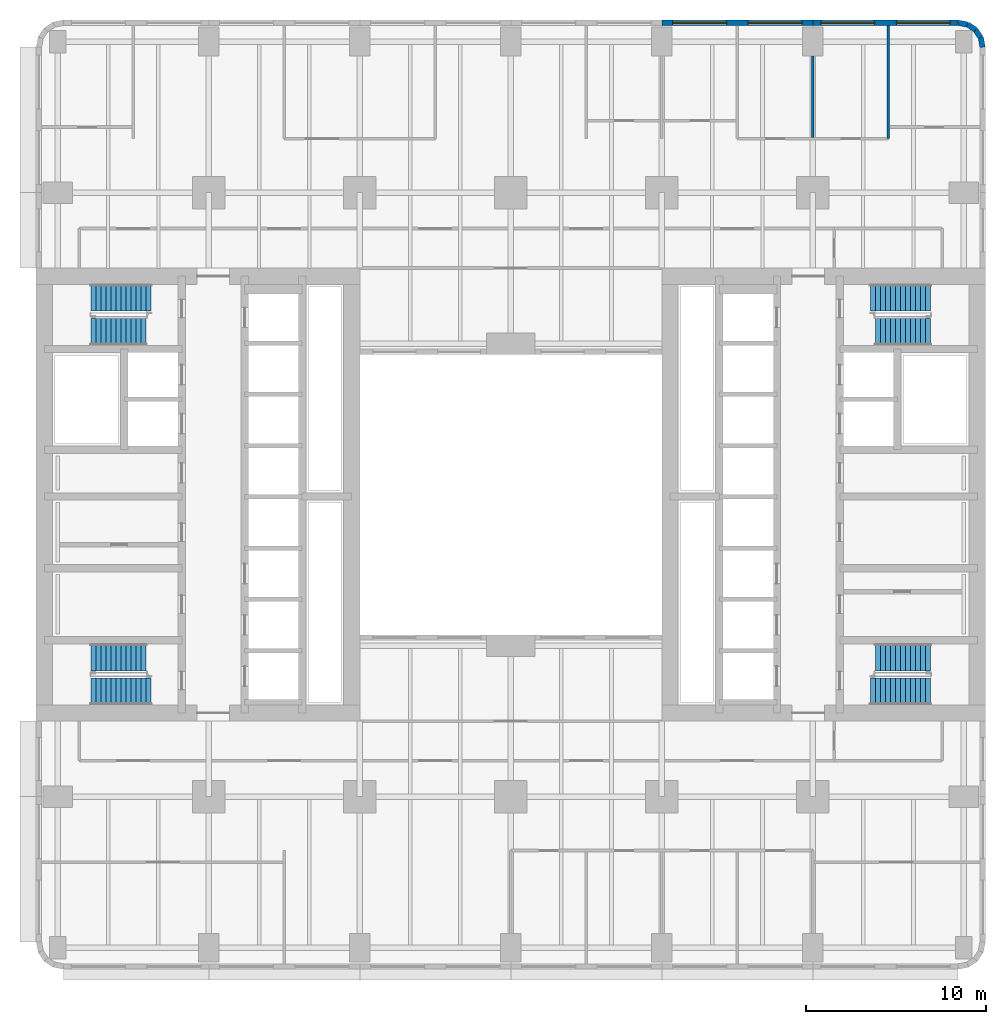
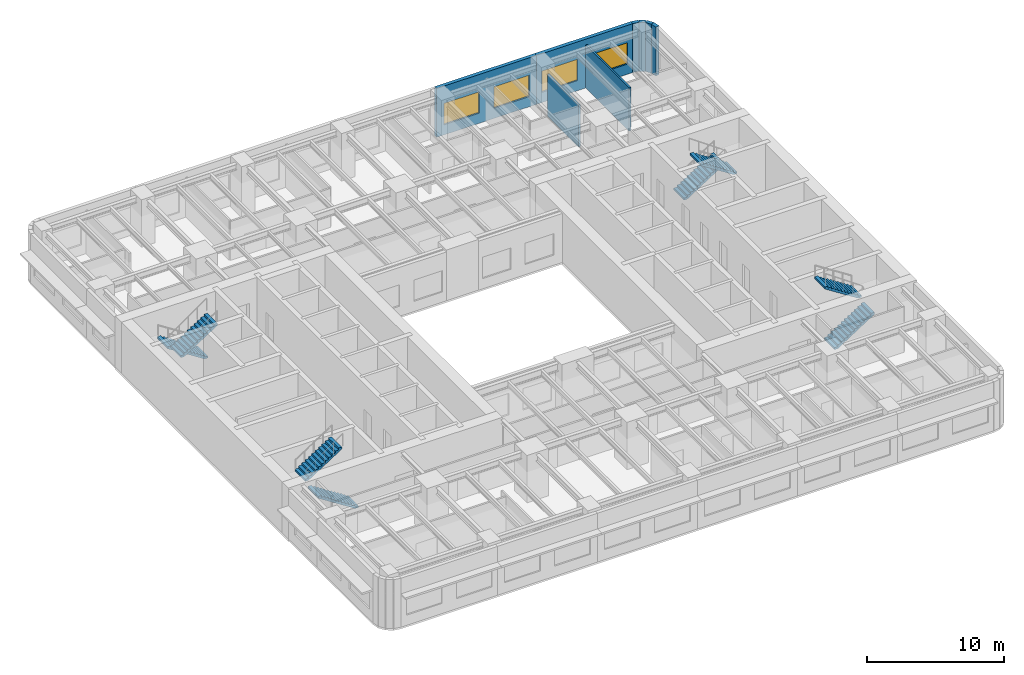
# One storey, part 8 of 14: 8 stair flights, 8 walls, 4 windows, 4 openings, 4 elements without a shape of their own.
"""IFC4 building model written with IfcOpenShell, lengths in metres."""

from ifc_helpers import new_model, si_unit, direction, frame, frame_2d, origin, place, context, subcontext, project, spatial, polyline, rectangle, outline, extrude, material, layer, layer_set, type_object, element, fill, aggregate, save


model = new_model("IFC4")

# Units and contexts
model_context = context("Model", 3, precision=1e-05, world=origin(), true_north=direction((0.0, 1.0)))
body_context = subcontext(model_context, "Body", "Model", "MODEL_VIEW")
ifc_project = project(units=[si_unit("LENGTHUNIT", "METRE"), si_unit("AREAUNIT", "SQUARE_METRE"), si_unit("VOLUMEUNIT", "CUBIC_METRE"), si_unit("PLANEANGLEUNIT", "RADIAN"), si_unit("MASSUNIT", "GRAM", prefix="KILO")], contexts=[model_context])

# Site, building, storey
site_placement = place(None, origin())
site = spatial("IfcSite", under=ifc_project, at=site_placement, CompositionType="ELEMENT")
building_placement = place(site_placement, origin())
building = spatial("IfcBuilding", under=site, at=building_placement, Name="Claustro Exchange Tower", CompositionType="ELEMENT")
storey_placement = place(building_placement, frame((0.0, 0.0, 41.39990234375)))
storey = spatial("IfcBuildingStorey", under=building, at=storey_placement, Name="L09", CompositionType="ELEMENT", Elevation=41.39990234375)

# Walls
ifc_material_1 = material(Name="Gypsum board on steel studs", Category="steel")
ifc_layer_1 = layer(ifc_material_1, 0.14990234375)
ifc_layer_set_1 = layer_set([ifc_layer_1], Name="Gypsum board on steel studs")
wall_type_1 = type_object("IfcWallType", Name="P1 150 plasterboard partition", PredefinedType="PARTITIONING", material=ifc_layer_set_1)
wall_1_placement = place(storey_placement, frame((42.0, 45.073974609375, 0.0), z_axis=(0.0, 0.0, 1.0), x_axis=(0.0, 1.0, 0.0)))
element("IfcWall", 1, at=wall_1_placement, inside=storey, type_object=wall_type_1, Name="Partition P1 L09", PredefinedType="PARTITIONING", context=body_context, shape_type="SweptSolid", body=[
    extrude(rectangle(XDim=4.527099609375, YDim=0.14990234375, at=frame_2d((2.263671875, 0.0))), origin(), (0.0, 0.0, 1.0), 3.739990234375),
])
wall_2_placement = place(storey_placement, frame((46.199951171875, 45.0, 0.0), z_axis=(0.0, 0.0, 1.0), x_axis=(0.0, 1.0, 0.0)))
element("IfcWall", 2, at=wall_2_placement, inside=storey, type_object=wall_type_1, Name="Partition P1 L09", PredefinedType="PARTITIONING", context=body_context, shape_type="SweptSolid", body=[
    extrude(rectangle(XDim=6.302001953125, YDim=0.14990234375, at=frame_2d((3.15087890625, 0.0))), origin(), (0.0, 0.0, 1.0), 3.840087890625),
])

# Wall, openings, windows
ifc_material_2 = material(Name="Concrete HA-40 (C40/50), precast, white cement, acid-etched", Category="concrete")
ifc_layer_2 = layer(ifc_material_2, 0.300048828125)
ifc_layer_set_2 = layer_set([ifc_layer_2], Name="Concrete HA-40 (C40/50), precast, white cement, acid-etched")
wall_type_2 = type_object("IfcWallType", Name="PC1 300 precast concrete pier panel", PredefinedType="SOLIDWALL", material=ifc_layer_set_2)
wall_3_placement = place(storey_placement, frame((33.60009765625, 51.449951171875, 0.0), z_axis=(0.0, 0.0, 1.0), x_axis=(1.0, 0.0, 0.0)))
wall_3 = element("IfcWall", 3, at=wall_3_placement, inside=storey, type_object=wall_type_2, Name="Precast pier panel PC1 L09", PredefinedType="SOLIDWALL", context=body_context, shape_type="SweptSolid", body=[
    extrude(rectangle(XDim=8.39990234375, YDim=0.300048828125, at=frame_2d((4.199951171875, 0.0))), origin(), (0.0, 0.0, 1.0), 4.340087890625),
])
opening_1_placement = place(wall_3_placement, frame((0.60009765625, 0.0, 0.89990234375)))
opening_1 = element("IfcOpeningElement", 4, at=opening_1_placement, cuts=wall_3, Name="Opening W1", PredefinedType="OPENING", context=body_context, shape_type="SweptSolid", body=[
    extrude(rectangle(XDim=3.0, YDim=1.89990234375, at=frame_2d((1.5, 0.949951171875))), frame((0.0, 0.159912109375, 0.0), z_axis=(0.0, -1.0, 0.0), x_axis=(1.0, 0.0, 0.0)), (0.0, 0.0, 1.0), 0.320068359375),
])
opening_2_placement = place(wall_3_placement, frame((4.800048828125, 0.0, 0.89990234375)))
opening_2 = element("IfcOpeningElement", 5, at=opening_2_placement, cuts=wall_3, Name="Opening W1", PredefinedType="OPENING", context=body_context, shape_type="SweptSolid", body=[
    extrude(rectangle(XDim=3.0, YDim=1.89990234375, at=frame_2d((1.5, 0.949951171875))), frame((0.0, 0.159912109375, 0.0), z_axis=(0.0, -1.0, 0.0), x_axis=(1.0, 0.0, 0.0)), (0.0, 0.0, 1.0), 0.320068359375),
])
ifc_material_3 = material(Name="Aluminium frame, clear double glazing", Category="aluminium")
window_type = type_object("IfcWindowType", Name="W1 3000 x 1900 window", PartitioningType="SINGLE_PANEL", PredefinedType="WINDOW", material=ifc_material_3)
window_1_placement = place(opening_1_placement, origin())
window_1 = element("IfcWindow", 6, at=window_1_placement, inside=storey, type_object=window_type, Name="Window W1 L09", OverallHeight=1.89990234375, OverallWidth=3.0, PartitioningType="SINGLE_PANEL", PredefinedType="WINDOW", context=body_context, shape_type="SweptSolid", body=[
    extrude(rectangle(XDim=3.0, YDim=1.89990234375, at=frame_2d((1.5, 0.949951171875))), frame((0.0, 0.030029296875, 0.0), z_axis=(0.0, -1.0, 0.0), x_axis=(1.0, 0.0, 0.0)), (0.0, 0.0, 1.0), 0.06005859375),
])
fill(opening_1, window_1)
window_2_placement = place(opening_2_placement, origin())
window_2 = element("IfcWindow", 7, at=window_2_placement, inside=storey, type_object=window_type, Name="Window W1 L09", OverallHeight=1.89990234375, OverallWidth=3.0, PartitioningType="SINGLE_PANEL", PredefinedType="WINDOW", context=body_context, shape_type="SweptSolid", body=[
    extrude(rectangle(XDim=3.0, YDim=1.89990234375, at=frame_2d((1.5, 0.949951171875))), frame((0.0, 0.030029296875, 0.0), z_axis=(0.0, -1.0, 0.0), x_axis=(1.0, 0.0, 0.0)), (0.0, 0.0, 1.0), 0.06005859375),
])
fill(opening_2, window_2)

wall_4_placement = place(storey_placement, frame((42.0, 51.449951171875, 0.0), z_axis=(0.0, 0.0, 1.0), x_axis=(1.0, 0.0, 0.0)))
wall_4 = element("IfcWall", 8, at=wall_4_placement, inside=storey, type_object=wall_type_2, Name="Precast pier panel PC1 L09", PredefinedType="SOLIDWALL", context=body_context, shape_type="SweptSolid", body=[
    extrude(rectangle(XDim=8.085205078125, YDim=0.300048828125, at=frame_2d((4.04248046875, 0.0))), origin(), (0.0, 0.0, 1.0), 4.340087890625),
])
opening_3_placement = place(wall_4_placement, frame((0.442626953125, 0.0, 0.89990234375)))
opening_3 = element("IfcOpeningElement", 9, at=opening_3_placement, cuts=wall_4, Name="Opening W1", PredefinedType="OPENING", context=body_context, shape_type="SweptSolid", body=[
    extrude(rectangle(XDim=3.0, YDim=1.89990234375, at=frame_2d((1.5, 0.949951171875))), frame((0.0, 0.159912109375, 0.0), z_axis=(0.0, -1.0, 0.0), x_axis=(1.0, 0.0, 0.0)), (0.0, 0.0, 1.0), 0.320068359375),
])
opening_4_placement = place(wall_4_placement, frame((4.642578125, 0.0, 0.89990234375)))
opening_4 = element("IfcOpeningElement", 10, at=opening_4_placement, cuts=wall_4, Name="Opening W1", PredefinedType="OPENING", context=body_context, shape_type="SweptSolid", body=[
    extrude(rectangle(XDim=3.0, YDim=1.89990234375, at=frame_2d((1.5, 0.949951171875))), frame((0.0, 0.159912109375, 0.0), z_axis=(0.0, -1.0, 0.0), x_axis=(1.0, 0.0, 0.0)), (0.0, 0.0, 1.0), 0.320068359375),
])
window_3_placement = place(opening_3_placement, origin())
window_3 = element("IfcWindow", 11, at=window_3_placement, inside=storey, type_object=window_type, Name="Window W1 L09", OverallHeight=1.89990234375, OverallWidth=3.0, PartitioningType="SINGLE_PANEL", PredefinedType="WINDOW", context=body_context, shape_type="SweptSolid", body=[
    extrude(rectangle(XDim=3.0, YDim=1.89990234375, at=frame_2d((1.5, 0.949951171875))), frame((0.0, 0.030029296875, 0.0), z_axis=(0.0, -1.0, 0.0), x_axis=(1.0, 0.0, 0.0)), (0.0, 0.0, 1.0), 0.06005859375),
])
fill(opening_3, window_3)
window_4_placement = place(opening_4_placement, origin())
window_4 = element("IfcWindow", 12, at=window_4_placement, inside=storey, type_object=window_type, Name="Window W1 L09", OverallHeight=1.89990234375, OverallWidth=3.0, PartitioningType="SINGLE_PANEL", PredefinedType="WINDOW", context=body_context, shape_type="SweptSolid", body=[
    extrude(rectangle(XDim=3.0, YDim=1.89990234375, at=frame_2d((1.5, 0.949951171875))), frame((0.0, 0.030029296875, 0.0), z_axis=(0.0, -1.0, 0.0), x_axis=(1.0, 0.0, 0.0)), (0.0, 0.0, 1.0), 0.06005859375),
])
fill(opening_4, window_4)

# Walls
wall_5_placement = place(storey_placement, frame((50.085205078125, 51.449951171875, 0.0), z_axis=(0.0, 0.0, 1.0), x_axis=(0.980788534345, -0.195073962632, 0.0)))
element("IfcWall", 13, at=wall_5_placement, inside=storey, type_object=wall_type_2, Name="Precast pier panel PC1 L09", PredefinedType="SOLIDWALL", context=body_context, shape_type="SweptSolid", body=[
    extrude(rectangle(XDim=0.540771484375, YDim=0.300048828125, at=frame_2d((0.2705078125, 0.0))), origin(), (0.0, 0.0, 1.0), 4.340087890625),
])
for number, where, z_axis, x_axis, name in (
    (14, (50.615478515625, 51.344482421875, 0.0), (0.0, 0.0, 1.0), (0.831478144188, -0.555557463938, 0.0), "Precast pier panel PC1 L09"),
    (15, (51.052490234375, 51.052490234375, 0.0), (0.0, 0.0, 1.0), (0.555557463938, -0.831478144188, 0.0), "Precast pier panel PC1 L09"),
):
    element("IfcWall", number, at=place(storey_placement, frame(where, z_axis=z_axis, x_axis=x_axis)), inside=storey, type_object=wall_type_2, Name=name, PredefinedType="SOLIDWALL", context=body_context, shape_type="SweptSolid", body=[
        extrude(rectangle(XDim=0.525634765625, YDim=0.300048828125, at=frame_2d((0.2626953125, 0.0))), origin(), (0.0, 0.0, 1.0), 4.340087890625),
    ])
wall_6_placement = place(storey_placement, frame((51.344482421875, 50.615478515625, 0.0), z_axis=(0.0, 0.0, 1.0), x_axis=(0.195073962632, -0.980788534345, 0.0)))
element("IfcWall", 16, at=wall_6_placement, inside=storey, type_object=wall_type_2, Name="Precast pier panel PC1 L09", PredefinedType="SOLIDWALL", context=body_context, shape_type="SweptSolid", body=[
    extrude(rectangle(XDim=0.540771484375, YDim=0.300048828125, at=frame_2d((0.2705078125, 0.0))), origin(), (0.0, 0.0, 1.0), 4.340087890625),
])

# Stair, stair flight
ifc_material_4 = material(Name="Concrete HA-30 (C30/37), precast", Category="concrete")
stair_type = type_object("IfcStairType", Name="ST2 half-turn stair, 25 risers of 180", PredefinedType="HALF_TURN_STAIR", material=ifc_material_4)
stair_1_placement = place(storey_placement, origin())
stair_1 = element("IfcStair", 17, at=stair_1_placement, inside=storey, type_object=stair_type, Name="Stair STWA L09", PredefinedType="HALF_TURN_STAIR")
ifc_material_5 = material(Name="Concrete HA-30 (C30/37), precast", Category="concrete")
stair_flight_type_1 = type_object("IfcStairFlightType", Name="SF12B straight flight, 12 risers of 180, 1500 wide", PredefinedType="STRAIGHT", material=ifc_material_5)
stair_flight_1_placement = place(storey_placement, frame((1.840087890625, 16.14990234375, 2.340087890625), z_axis=(0.0, 0.0, 1.0), x_axis=(1.0, 0.0, 0.0)))
stair_flight_1 = element("IfcStairFlight", 18, at=stair_flight_1_placement, type_object=stair_flight_type_1, Name="STWA flight 2", NumberOfRisers=12, NumberOfTreads=11, PredefinedType="STRAIGHT", RiserHeight=0.18, TreadLength=0.28, context=body_context, shape_type="SweptSolid", body=[
    extrude(outline(polyline([(0.0, 0.0), (0.0, 0.179931640625), (0.280029296875, 0.179931640625), (0.280029296875, 0.360107421875), (0.56005859375, 0.360107421875), (0.56005859375, 0.5400390625), (0.840087890625, 0.5400390625), (0.840087890625, 0.719970703125), (1.1201171875, 0.719970703125), (1.1201171875, 0.89990234375), (1.39990234375, 0.89990234375), (1.39990234375, 1.080078125), (1.679931640625, 1.080078125), (1.679931640625, 1.260009765625), (1.9599609375, 1.260009765625), (1.9599609375, 1.43994140625), (2.239990234375, 1.43994140625), (2.239990234375, 1.6201171875), (2.52001953125, 1.6201171875), (2.52001953125, 1.800048828125), (2.800048828125, 1.800048828125), (2.800048828125, 1.97998046875), (3.080078125, 1.97998046875), (3.080078125, 2.159912109375), (3.080078125, 1.8017578125), (0.277099609375, 0.0), (0.0, 0.0)])), frame((0.0, 0.75, 0.0), z_axis=(0.0, -1.0, 0.0), x_axis=(1.0, 0.0, 0.0)), (0.0, 0.0, 1.0), 1.5),
])

stair_2_placement = place(storey_placement, origin())
stair_2 = element("IfcStair", 19, at=stair_2_placement, inside=storey, type_object=stair_type, Name="Stair STWB L09", PredefinedType="HALF_TURN_STAIR")
stair_flight_2_placement = place(storey_placement, frame((1.840087890625, 34.25, 2.340087890625), z_axis=(0.0, 0.0, 1.0), x_axis=(1.0, 0.0, 0.0)))
stair_flight_2 = element("IfcStairFlight", 20, at=stair_flight_2_placement, type_object=stair_flight_type_1, Name="STWB flight 2", NumberOfRisers=12, NumberOfTreads=11, PredefinedType="STRAIGHT", RiserHeight=0.18, TreadLength=0.28, context=body_context, shape_type="SweptSolid", body=[
    extrude(outline(polyline([(0.0, 0.0), (0.0, 0.179931640625), (0.280029296875, 0.179931640625), (0.280029296875, 0.360107421875), (0.56005859375, 0.360107421875), (0.56005859375, 0.5400390625), (0.840087890625, 0.5400390625), (0.840087890625, 0.719970703125), (1.1201171875, 0.719970703125), (1.1201171875, 0.89990234375), (1.39990234375, 0.89990234375), (1.39990234375, 1.080078125), (1.679931640625, 1.080078125), (1.679931640625, 1.260009765625), (1.9599609375, 1.260009765625), (1.9599609375, 1.43994140625), (2.239990234375, 1.43994140625), (2.239990234375, 1.6201171875), (2.52001953125, 1.6201171875), (2.52001953125, 1.800048828125), (2.800048828125, 1.800048828125), (2.800048828125, 1.97998046875), (3.080078125, 1.97998046875), (3.080078125, 2.159912109375), (3.080078125, 1.8017578125), (0.277099609375, 0.0), (0.0, 0.0)])), frame((0.0, 0.75, 0.0), z_axis=(0.0, -1.0, 0.0), x_axis=(1.0, 0.0, 0.0)), (0.0, 0.0, 1.0), 1.5),
])

stair_3_placement = place(storey_placement, origin())
stair_3 = element("IfcStair", 21, at=stair_3_placement, inside=storey, type_object=stair_type, Name="Stair STEA L09", PredefinedType="HALF_TURN_STAIR")
stair_flight_3_placement = place(storey_placement, frame((48.56005859375, 16.14990234375, 2.340087890625), z_axis=(0.0, 0.0, 1.0), x_axis=(-1.0, 0.0, 0.0)))
stair_flight_3 = element("IfcStairFlight", 22, at=stair_flight_3_placement, type_object=stair_flight_type_1, Name="STEA flight 2", NumberOfRisers=12, NumberOfTreads=11, PredefinedType="STRAIGHT", RiserHeight=0.18, TreadLength=0.28, context=body_context, shape_type="SweptSolid", body=[
    extrude(outline(polyline([(0.0, 0.0), (0.0, 0.179931640625), (0.280029296875, 0.179931640625), (0.280029296875, 0.360107421875), (0.56005859375, 0.360107421875), (0.56005859375, 0.5400390625), (0.840087890625, 0.5400390625), (0.840087890625, 0.719970703125), (1.1201171875, 0.719970703125), (1.1201171875, 0.89990234375), (1.39990234375, 0.89990234375), (1.39990234375, 1.080078125), (1.679931640625, 1.080078125), (1.679931640625, 1.260009765625), (1.9599609375, 1.260009765625), (1.9599609375, 1.43994140625), (2.239990234375, 1.43994140625), (2.239990234375, 1.6201171875), (2.52001953125, 1.6201171875), (2.52001953125, 1.800048828125), (2.800048828125, 1.800048828125), (2.800048828125, 1.97998046875), (3.080078125, 1.97998046875), (3.080078125, 2.159912109375), (3.080078125, 1.8017578125), (0.277099609375, 0.0), (0.0, 0.0)])), frame((0.0, 0.75, 0.0), z_axis=(0.0, -1.0, 0.0), x_axis=(1.0, 0.0, 0.0)), (0.0, 0.0, 1.0), 1.5),
])

stair_4_placement = place(storey_placement, origin())
stair_4 = element("IfcStair", 23, at=stair_4_placement, inside=storey, type_object=stair_type, Name="Stair STEB L09", PredefinedType="HALF_TURN_STAIR")
stair_flight_4_placement = place(storey_placement, frame((48.56005859375, 34.25, 2.340087890625), z_axis=(0.0, 0.0, 1.0), x_axis=(-1.0, 0.0, 0.0)))
stair_flight_4 = element("IfcStairFlight", 24, at=stair_flight_4_placement, type_object=stair_flight_type_1, Name="STEB flight 2", NumberOfRisers=12, NumberOfTreads=11, PredefinedType="STRAIGHT", RiserHeight=0.18, TreadLength=0.28, context=body_context, shape_type="SweptSolid", body=[
    extrude(outline(polyline([(0.0, 0.0), (0.0, 0.179931640625), (0.280029296875, 0.179931640625), (0.280029296875, 0.360107421875), (0.56005859375, 0.360107421875), (0.56005859375, 0.5400390625), (0.840087890625, 0.5400390625), (0.840087890625, 0.719970703125), (1.1201171875, 0.719970703125), (1.1201171875, 0.89990234375), (1.39990234375, 0.89990234375), (1.39990234375, 1.080078125), (1.679931640625, 1.080078125), (1.679931640625, 1.260009765625), (1.9599609375, 1.260009765625), (1.9599609375, 1.43994140625), (2.239990234375, 1.43994140625), (2.239990234375, 1.6201171875), (2.52001953125, 1.6201171875), (2.52001953125, 1.800048828125), (2.800048828125, 1.800048828125), (2.800048828125, 1.97998046875), (3.080078125, 1.97998046875), (3.080078125, 2.159912109375), (3.080078125, 1.8017578125), (0.277099609375, 0.0), (0.0, 0.0)])), frame((0.0, 0.75, 0.0), z_axis=(0.0, -1.0, 0.0), x_axis=(1.0, 0.0, 0.0)), (0.0, 0.0, 1.0), 1.5),
])

# Stair flight
ifc_material_6 = material(Name="Concrete HA-30 (C30/37), precast", Category="concrete")
stair_flight_type_2 = type_object("IfcStairFlightType", Name="SF13 straight flight, 13 risers of 180, 1500 wide", PredefinedType="STRAIGHT", material=ifc_material_6)
stair_flight_5_placement = place(storey_placement, frame((5.199951171875, 14.25, 0.0), z_axis=(0.0, 0.0, 1.0), x_axis=(-1.0, 0.0, 0.0)))
stair_flight_5 = element("IfcStairFlight", 25, at=stair_flight_5_placement, type_object=stair_flight_type_2, Name="STWA flight 1", NumberOfRisers=13, NumberOfTreads=12, PredefinedType="STRAIGHT", RiserHeight=0.18, TreadLength=0.28, context=body_context, shape_type="SweptSolid", body=[
    extrude(outline(polyline([(0.0, 0.0), (0.0, 0.179931640625), (0.280029296875, 0.179931640625), (0.280029296875, 0.360107421875), (0.56005859375, 0.360107421875), (0.56005859375, 0.5400390625), (0.840087890625, 0.5400390625), (0.840087890625, 0.719970703125), (1.1201171875, 0.719970703125), (1.1201171875, 0.89990234375), (1.39990234375, 0.89990234375), (1.39990234375, 1.080078125), (1.679931640625, 1.080078125), (1.679931640625, 1.260009765625), (1.9599609375, 1.260009765625), (1.9599609375, 1.43994140625), (2.239990234375, 1.43994140625), (2.239990234375, 1.6201171875), (2.52001953125, 1.6201171875), (2.52001953125, 1.800048828125), (2.800048828125, 1.800048828125), (2.800048828125, 1.97998046875), (3.080078125, 1.97998046875), (3.080078125, 2.159912109375), (3.360107421875, 2.159912109375), (3.360107421875, 2.340087890625), (3.360107421875, 1.981689453125), (0.277099609375, 0.0), (0.0, 0.0)])), frame((0.0, 0.75, 0.0), z_axis=(0.0, -1.0, 0.0), x_axis=(1.0, 0.0, 0.0)), (0.0, 0.0, 1.0), 1.5),
])

aggregate(stair_1, [stair_flight_5, stair_flight_1])

stair_flight_6_placement = place(storey_placement, frame((5.199951171875, 36.14990234375, 0.0), z_axis=(0.0, 0.0, 1.0), x_axis=(-1.0, 0.0, 0.0)))
stair_flight_6 = element("IfcStairFlight", 26, at=stair_flight_6_placement, type_object=stair_flight_type_2, Name="STWB flight 1", NumberOfRisers=13, NumberOfTreads=12, PredefinedType="STRAIGHT", RiserHeight=0.18, TreadLength=0.28, context=body_context, shape_type="SweptSolid", body=[
    extrude(outline(polyline([(0.0, 0.0), (0.0, 0.179931640625), (0.280029296875, 0.179931640625), (0.280029296875, 0.360107421875), (0.56005859375, 0.360107421875), (0.56005859375, 0.5400390625), (0.840087890625, 0.5400390625), (0.840087890625, 0.719970703125), (1.1201171875, 0.719970703125), (1.1201171875, 0.89990234375), (1.39990234375, 0.89990234375), (1.39990234375, 1.080078125), (1.679931640625, 1.080078125), (1.679931640625, 1.260009765625), (1.9599609375, 1.260009765625), (1.9599609375, 1.43994140625), (2.239990234375, 1.43994140625), (2.239990234375, 1.6201171875), (2.52001953125, 1.6201171875), (2.52001953125, 1.800048828125), (2.800048828125, 1.800048828125), (2.800048828125, 1.97998046875), (3.080078125, 1.97998046875), (3.080078125, 2.159912109375), (3.360107421875, 2.159912109375), (3.360107421875, 2.340087890625), (3.360107421875, 1.981689453125), (0.277099609375, 0.0), (0.0, 0.0)])), frame((0.0, 0.75, 0.0), z_axis=(0.0, -1.0, 0.0), x_axis=(1.0, 0.0, 0.0)), (0.0, 0.0, 1.0), 1.5),
])

aggregate(stair_2, [stair_flight_6, stair_flight_2])

stair_flight_7_placement = place(storey_placement, frame((45.199951171875, 14.25, 0.0), z_axis=(0.0, 0.0, 1.0), x_axis=(1.0, 0.0, 0.0)))
stair_flight_7 = element("IfcStairFlight", 27, at=stair_flight_7_placement, type_object=stair_flight_type_2, Name="STEA flight 1", NumberOfRisers=13, NumberOfTreads=12, PredefinedType="STRAIGHT", RiserHeight=0.18, TreadLength=0.28, context=body_context, shape_type="SweptSolid", body=[
    extrude(outline(polyline([(0.0, 0.0), (0.0, 0.179931640625), (0.280029296875, 0.179931640625), (0.280029296875, 0.360107421875), (0.56005859375, 0.360107421875), (0.56005859375, 0.5400390625), (0.840087890625, 0.5400390625), (0.840087890625, 0.719970703125), (1.1201171875, 0.719970703125), (1.1201171875, 0.89990234375), (1.39990234375, 0.89990234375), (1.39990234375, 1.080078125), (1.679931640625, 1.080078125), (1.679931640625, 1.260009765625), (1.9599609375, 1.260009765625), (1.9599609375, 1.43994140625), (2.239990234375, 1.43994140625), (2.239990234375, 1.6201171875), (2.52001953125, 1.6201171875), (2.52001953125, 1.800048828125), (2.800048828125, 1.800048828125), (2.800048828125, 1.97998046875), (3.080078125, 1.97998046875), (3.080078125, 2.159912109375), (3.360107421875, 2.159912109375), (3.360107421875, 2.340087890625), (3.360107421875, 1.981689453125), (0.277099609375, 0.0), (0.0, 0.0)])), frame((0.0, 0.75, 0.0), z_axis=(0.0, -1.0, 0.0), x_axis=(1.0, 0.0, 0.0)), (0.0, 0.0, 1.0), 1.5),
])

aggregate(stair_3, [stair_flight_7, stair_flight_3])

stair_flight_8_placement = place(storey_placement, frame((45.199951171875, 36.14990234375, 0.0), z_axis=(0.0, 0.0, 1.0), x_axis=(1.0, 0.0, 0.0)))
stair_flight_8 = element("IfcStairFlight", 28, at=stair_flight_8_placement, type_object=stair_flight_type_2, Name="STEB flight 1", NumberOfRisers=13, NumberOfTreads=12, PredefinedType="STRAIGHT", RiserHeight=0.18, TreadLength=0.28, context=body_context, shape_type="SweptSolid", body=[
    extrude(outline(polyline([(0.0, 0.0), (0.0, 0.179931640625), (0.280029296875, 0.179931640625), (0.280029296875, 0.360107421875), (0.56005859375, 0.360107421875), (0.56005859375, 0.5400390625), (0.840087890625, 0.5400390625), (0.840087890625, 0.719970703125), (1.1201171875, 0.719970703125), (1.1201171875, 0.89990234375), (1.39990234375, 0.89990234375), (1.39990234375, 1.080078125), (1.679931640625, 1.080078125), (1.679931640625, 1.260009765625), (1.9599609375, 1.260009765625), (1.9599609375, 1.43994140625), (2.239990234375, 1.43994140625), (2.239990234375, 1.6201171875), (2.52001953125, 1.6201171875), (2.52001953125, 1.800048828125), (2.800048828125, 1.800048828125), (2.800048828125, 1.97998046875), (3.080078125, 1.97998046875), (3.080078125, 2.159912109375), (3.360107421875, 2.159912109375), (3.360107421875, 2.340087890625), (3.360107421875, 1.981689453125), (0.277099609375, 0.0), (0.0, 0.0)])), frame((0.0, 0.75, 0.0), z_axis=(0.0, -1.0, 0.0), x_axis=(1.0, 0.0, 0.0)), (0.0, 0.0, 1.0), 1.5),
])

aggregate(stair_4, [stair_flight_8, stair_flight_4])

save(model, "model.ifc")
